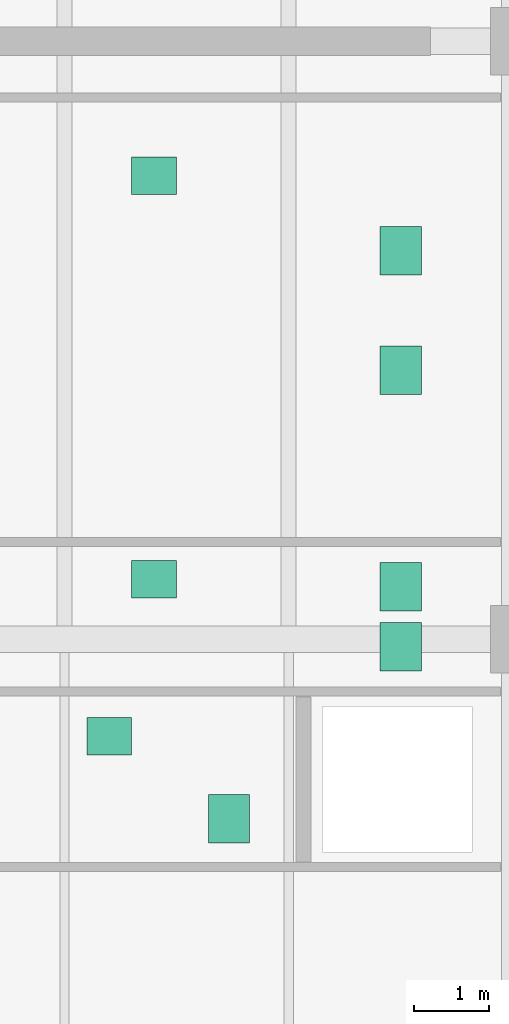
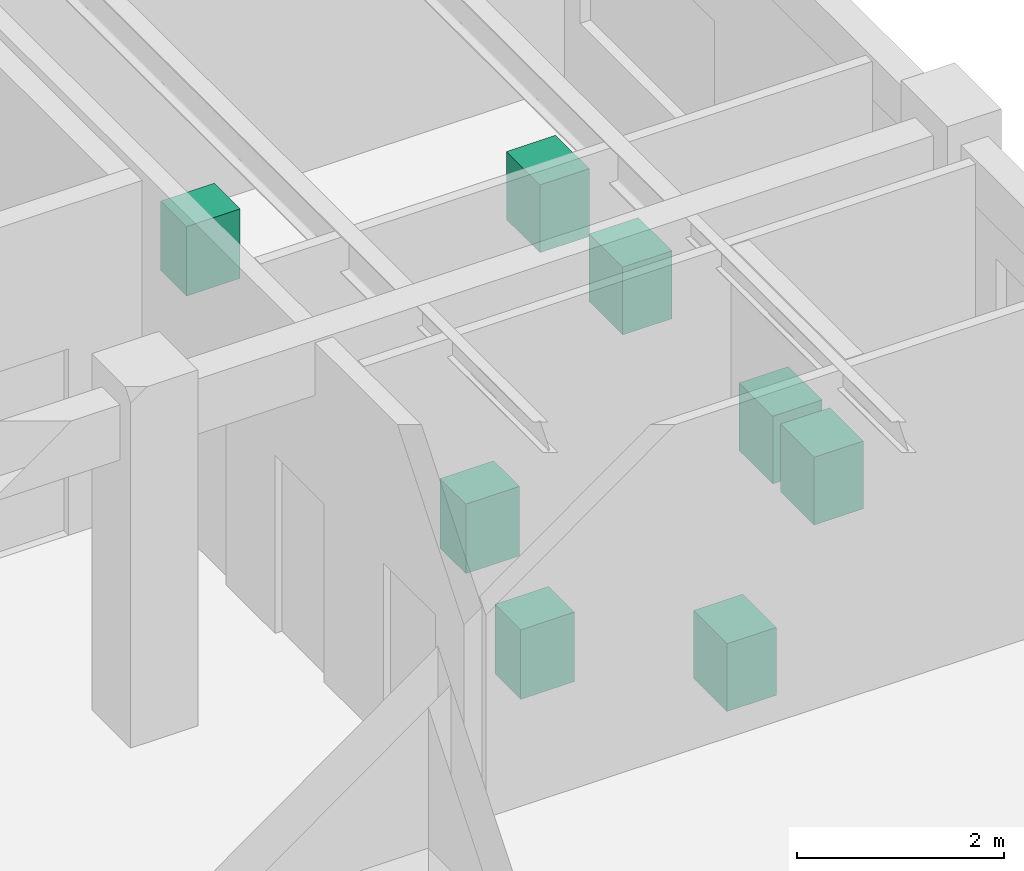
# One storey, part 128 of 128: 8 sanitary terminals.
"""IFC4 building model written with IfcOpenShell, lengths in metres."""

from ifc_helpers import new_model, si_unit, derived_unit, direction, frame, origin, origin_2d, place, context, subcontext, project, spatial, rectangle, extrude, material, type_object, element, save


model = new_model("IFC4")

# Units and contexts
model_context = context("Model", 3, precision=1e-05, world=origin(), true_north=direction((0.0, 1.0)))
body_context = subcontext(model_context, "Body", "Model", "MODEL_VIEW")
ifc_project = project(units=[si_unit("LENGTHUNIT", "METRE"), si_unit("AREAUNIT", "SQUARE_METRE"), si_unit("VOLUMEUNIT", "CUBIC_METRE"), si_unit("PLANEANGLEUNIT", "RADIAN"), si_unit("MASSUNIT", "GRAM", prefix="KILO"), derived_unit("THERMALTRANSMITTANCEUNIT", [(si_unit("MASSUNIT", "GRAM", prefix="KILO"), 1), (si_unit("TIMEUNIT", "SECOND"), -3), (si_unit("THERMODYNAMICTEMPERATUREUNIT", "KELVIN"), -1)])], contexts=[model_context])

# Site, building, storey
site_placement = place(None, origin())
site = spatial("IfcSite", under=ifc_project, at=site_placement, CompositionType="ELEMENT")
building_placement = place(site_placement, origin())
building = spatial("IfcBuilding", under=site, at=building_placement, Name="Zhenchuan Archway Interchange", CompositionType="ELEMENT")
storey_placement = place(building_placement, frame((0.0, 0.0, 14.39990234375)))
storey = spatial("IfcBuildingStorey", under=building, at=storey_placement, Name="L03", CompositionType="ELEMENT", Elevation=14.39990234375)

# Sanitary terminals
ifc_material = material(Name="Vitreous China", Category="ceramic")
sanitary_terminal_type_1 = type_object("IfcSanitaryTerminalType", Name="SAN_WASHHANDBASIN", PredefinedType="WASHHANDBASIN", material=ifc_material)
for number, where, z_axis, x_axis, name in (
    (1, (165.60009765625, 54.699951171875, 0.0), (0.0, 0.0, 1.0), (1.0, 0.0, 0.0), "Sanitary fixture 02 (L03)"),
    (2, (166.199951171875, 56.800048828125, 0.0), (0.0, 0.0, 1.0), (1.0, 0.0, 0.0), "Sanitary fixture 05 (L03)"),
    (3, (166.199951171875, 62.199951171875, 0.0), (0.0, 0.0, 1.0), (1.0, 0.0, 0.0), "Sanitary fixture 08 (L03)"),
):
    element("IfcSanitaryTerminal", number, at=place(storey_placement, frame(where, z_axis=z_axis, x_axis=x_axis)), inside=storey, type_object=sanitary_terminal_type_1, Name=name, PredefinedType="WASHHANDBASIN", context=body_context, shape_type="SweptSolid", body=[
        extrude(rectangle(XDim=0.60009765625, YDim=0.5, at=origin_2d()), origin(), (0.0, 0.0, 1.0), 0.820068359375),
    ])
sanitary_terminal_type_2 = type_object("IfcSanitaryTerminalType", Name="SAN_WCSEAT", PredefinedType="WCSEAT", material=ifc_material)
for number, where, z_axis, x_axis, name in (
    (4, (167.199951171875, 53.60009765625, 0.0), (0.0, 0.0, 1.0), (1.0, 0.0, 0.0), "Sanitary fixture 01 (L03)"),
    (5, (169.5, 55.89990234375, 0.0), (0.0, 0.0, 1.0), (1.0, 0.0, 0.0), "Sanitary fixture 03 (L03)"),
    (6, (169.5, 56.699951171875, 0.0), (0.0, 0.0, 1.0), (1.0, 0.0, 0.0), "Sanitary fixture 04 (L03)"),
    (7, (169.5, 59.60009765625, 0.0), (0.0, 0.0, 1.0), (1.0, 0.0, 0.0), "Sanitary fixture 06 (L03)"),
    (8, (169.5, 61.199951171875, 0.0), (0.0, 0.0, 1.0), (1.0, 0.0, 0.0), "Sanitary fixture 07 (L03)"),
):
    element("IfcSanitaryTerminal", number, at=place(storey_placement, frame(where, z_axis=z_axis, x_axis=x_axis)), inside=storey, type_object=sanitary_terminal_type_2, Name=name, PredefinedType="WCSEAT", context=body_context, shape_type="SweptSolid", body=[
        extrude(rectangle(XDim=0.550048828125, YDim=0.64990234375, at=origin_2d()), origin(), (0.0, 0.0, 1.0), 0.800048828125),
    ])

save(model, "model.ifc")
